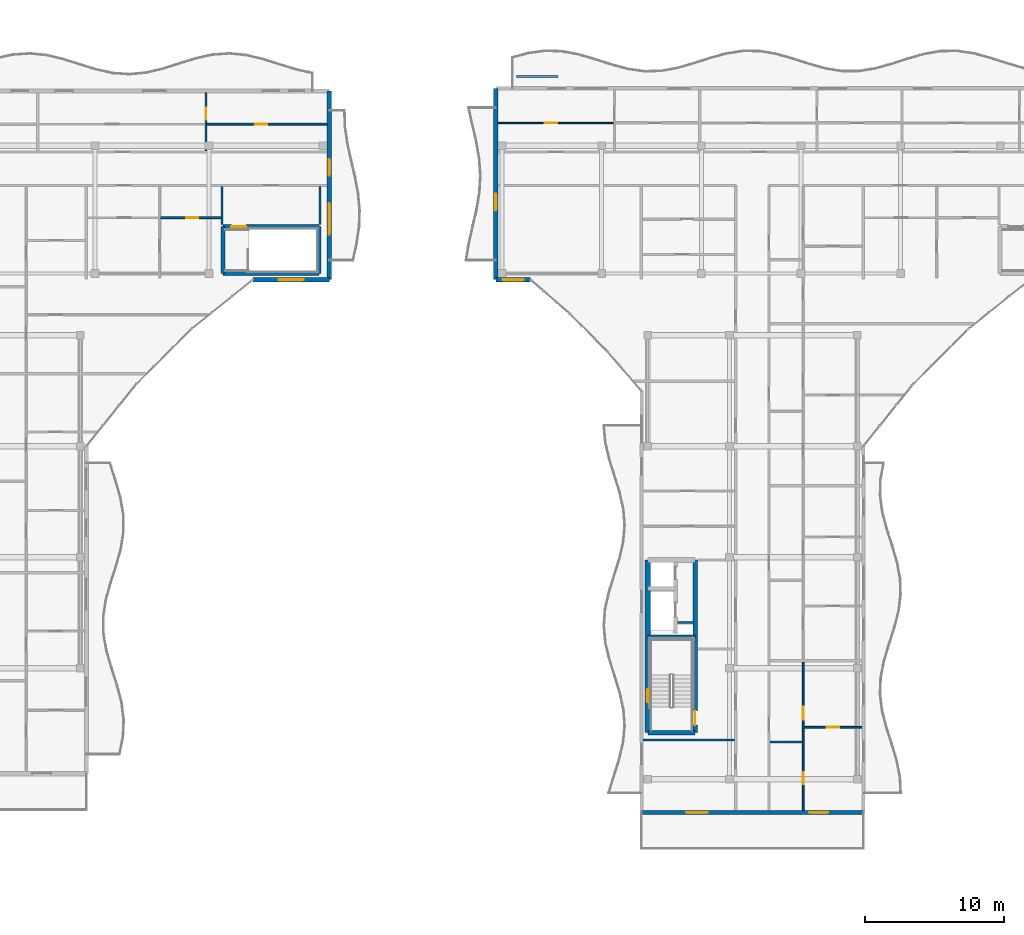
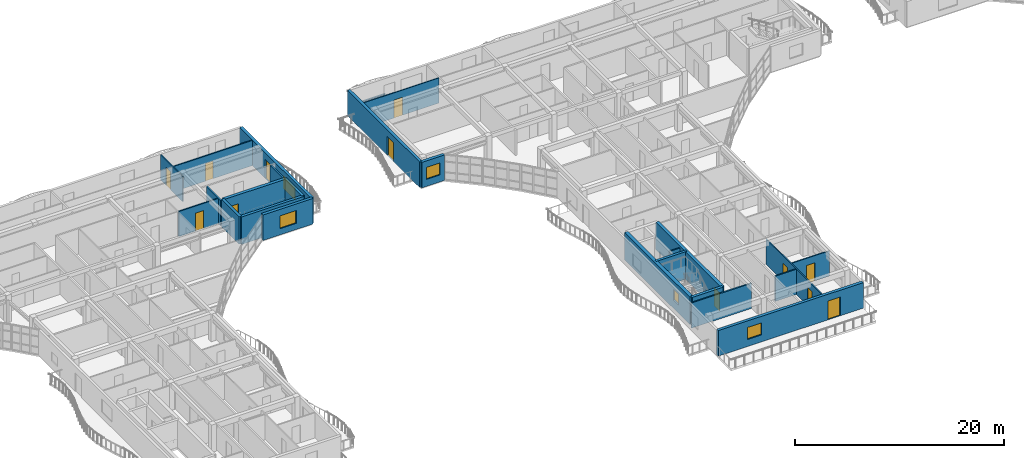
# One storey, part 28 of 49: 25 walls, 12 doors, 5 windows, 17 openings.
"""IFC4 building model written with IfcOpenShell, lengths in metres."""

from ifc_helpers import new_model, si_unit, direction, frame, frame_2d, origin, place, context, subcontext, project, spatial, rectangle, extrude, material, layer, layer_set, type_object, element, fill, save


model = new_model("IFC4")

# Units and contexts
model_context = context("Model", 3, precision=1e-05, world=origin(), true_north=direction((0.0, 1.0)))
body_context = subcontext(model_context, "Body", "Model", "MODEL_VIEW")
ifc_project = project(units=[si_unit("LENGTHUNIT", "METRE"), si_unit("AREAUNIT", "SQUARE_METRE"), si_unit("VOLUMEUNIT", "CUBIC_METRE"), si_unit("PLANEANGLEUNIT", "RADIAN"), si_unit("MASSUNIT", "GRAM", prefix="KILO")], contexts=[model_context])

# Site, building, storey
site_placement = place(None, origin())
site = spatial("IfcSite", under=ifc_project, at=site_placement, CompositionType="ELEMENT")
building_placement = place(site_placement, origin())
building = spatial("IfcBuilding", under=site, at=building_placement, Name="Keldmere Railside Commons", CompositionType="ELEMENT")
storey_placement = place(building_placement, frame((0.0, 0.0, 29.760009765625)))
storey = spatial("IfcBuildingStorey", under=building, at=storey_placement, Name="L09", CompositionType="ELEMENT", Elevation=29.760009765625)

# Wall, opening, door
ifc_material_1 = material(Name="Acoustic Gypsum Board Partition", Category="gypsum")
ifc_layer_1 = layer(ifc_material_1, 0.1201171875, Name="Apartment Interior Partition 120")
ifc_layer_set_1 = layer_set([ifc_layer_1], Name="Acoustic Gypsum Board Partition")
wall_type_1 = type_object("IfcWallType", Name="Apartment Interior Partition 120", PredefinedType="PARTITIONING", material=ifc_layer_set_1)
wall_1_placement = place(storey_placement, frame((72.6201171875, 109.280029296875, 0.0), z_axis=(0.0, 0.0, 1.0), x_axis=(0.0, 1.0, 0.0)))
wall_1 = element("IfcWall", 1, at=wall_1_placement, inside=storey, type_object=wall_type_1, Name="IW-4 IW-L09-0886", PredefinedType="PARTITIONING", context=body_context, shape_type="SweptSolid", body=[
    extrude(rectangle(XDim=4.18994140625, YDim=0.1201171875, at=frame_2d((2.094970703125, 0.0))), origin(), (0.0, 0.0, 1.0), 2.93505859375),
])
opening_1_placement = place(wall_1_placement, frame((2.267578125, 0.0, 0.0)))
opening_1 = element("IfcOpeningElement", 2, at=opening_1_placement, cuts=wall_1, Name="Opening ID-04", PredefinedType="OPENING", context=body_context, shape_type="SweptSolid", body=[
    extrude(rectangle(XDim=0.860107421875, YDim=2.10009765625, at=frame_2d((0.43017578125, 1.050048828125))), frame((0.0, 0.070068359375, 0.0), z_axis=(0.0, -1.0, 0.0), x_axis=(1.0, 0.0, 0.0)), (0.0, 0.0, 1.0), 0.14013671875),
])
ifc_material_2 = material(Name="Engineered Oak Timber", Category="wood")
door_type_1 = type_object("IfcDoorType", Name="Apartment Bathroom Door 860x2100", OperationType="NOTDEFINED", PredefinedType="DOOR", material=ifc_material_2)
door_1_placement = place(opening_1_placement, origin())
door_1 = element("IfcDoor", 3, at=door_1_placement, inside=storey, type_object=door_type_1, Name="ID-04 IDR-L09-0767", OperationType="SINGLE_SWING_LEFT", OverallHeight=2.10009765625, OverallWidth=0.860107421875, PredefinedType="DOOR", context=body_context, shape_type="SweptSolid", body=[
    extrude(rectangle(XDim=0.860107421875, YDim=2.10009765625, at=frame_2d((0.43017578125, 1.050048828125))), frame((0.0, 0.02490234375, 0.0), z_axis=(0.0, -1.0, 0.0), x_axis=(1.0, 0.0, 0.0)), (0.0, 0.0, 1.0), 0.050048828125),
])
fill(opening_1, door_1)

# Wall, openings, doors
wall_2_placement = place(storey_placement, frame((115.659912109375, 61.760009765625, 0.0), z_axis=(0.0, 0.0, 1.0), x_axis=(0.0, 1.0, 0.0)))
wall_2 = element("IfcWall", 4, at=wall_2_placement, inside=storey, type_object=wall_type_1, Name="IW-4 IW-L09-1284", PredefinedType="PARTITIONING", context=body_context, shape_type="SweptSolid", body=[
    extrude(rectangle(XDim=10.699951171875, YDim=0.1201171875, at=frame_2d((5.35009765625, 0.0))), origin(), (0.0, 0.0, 1.0), 2.93505859375),
])
opening_2_placement = place(wall_2_placement, frame((1.86962890625, 0.0, 0.0)))
opening_2 = element("IfcOpeningElement", 5, at=opening_2_placement, cuts=wall_2, Name="Opening ID-04", PredefinedType="OPENING", context=body_context, shape_type="SweptSolid", body=[
    extrude(rectangle(XDim=0.860107421875, YDim=2.10009765625, at=frame_2d((0.43017578125, 1.050048828125))), frame((0.0, 0.070068359375, 0.0), z_axis=(0.0, -1.0, 0.0), x_axis=(1.0, 0.0, 0.0)), (0.0, 0.0, 1.0), 0.14013671875),
])
opening_3_placement = place(wall_2_placement, frame((6.538330078125, 0.0, 0.0)))
opening_3 = element("IfcOpeningElement", 6, at=opening_3_placement, cuts=wall_2, Name="Opening ID-03", PredefinedType="OPENING", context=body_context, shape_type="SweptSolid", body=[
    extrude(rectangle(XDim=0.919921875, YDim=2.10009765625, at=frame_2d((0.4599609375, 1.050048828125))), frame((0.0, 0.070068359375, 0.0), z_axis=(0.0, -1.0, 0.0), x_axis=(1.0, 0.0, 0.0)), (0.0, 0.0, 1.0), 0.14013671875),
])
door_2_placement = place(opening_2_placement, origin())
door_2 = element("IfcDoor", 7, at=door_2_placement, inside=storey, type_object=door_type_1, Name="ID-04 IDR-L09-1139", OperationType="SINGLE_SWING_LEFT", OverallHeight=2.10009765625, OverallWidth=0.860107421875, PredefinedType="DOOR", context=body_context, shape_type="SweptSolid", body=[
    extrude(rectangle(XDim=0.860107421875, YDim=2.10009765625, at=frame_2d((0.43017578125, 1.050048828125))), frame((0.0, 0.02490234375, 0.0), z_axis=(0.0, -1.0, 0.0), x_axis=(1.0, 0.0, 0.0)), (0.0, 0.0, 1.0), 0.050048828125),
])
fill(opening_2, door_2)
door_type_2 = type_object("IfcDoorType", Name="Kitchen Pocket-Frame Swing Door 920x2100", OperationType="NOTDEFINED", PredefinedType="DOOR", material=ifc_material_2)
door_3_placement = place(opening_3_placement, origin())
door_3 = element("IfcDoor", 8, at=door_3_placement, inside=storey, type_object=door_type_2, Name="ID-03 IDR-L09-1140", OperationType="SINGLE_SWING_RIGHT", OverallHeight=2.10009765625, OverallWidth=0.919921875, PredefinedType="DOOR", context=body_context, shape_type="SweptSolid", body=[
    extrude(rectangle(XDim=0.919921875, YDim=2.10009765625, at=frame_2d((0.4599609375, 1.050048828125))), frame((0.0, 0.02490234375, 0.0), z_axis=(0.0, -1.0, 0.0), x_axis=(1.0, 0.0, 0.0)), (0.0, 0.0, 1.0), 0.050048828125),
])
fill(opening_3, door_3)

# Wall, opening, door
wall_3_placement = place(storey_placement, frame((115.719970703125, 67.75, 0.0), z_axis=(0.0, 0.0, 1.0), x_axis=(1.0, 0.0, 0.0)))
wall_3 = element("IfcWall", 9, at=wall_3_placement, inside=storey, type_object=wall_type_1, Name="IW-4 IW-L09-1286", PredefinedType="PARTITIONING", context=body_context, shape_type="SweptSolid", body=[
    extrude(rectangle(XDim=4.159912109375, YDim=0.1201171875, at=frame_2d((2.080078125, 0.0))), origin(), (0.0, 0.0, 1.0), 2.93505859375),
])
opening_4_placement = place(wall_3_placement, frame((1.6298828125, 0.0, 0.0)))
opening_4 = element("IfcOpeningElement", 10, at=opening_4_placement, cuts=wall_3, Name="Opening ID-01", PredefinedType="OPENING", context=body_context, shape_type="SweptSolid", body=[
    extrude(rectangle(XDim=0.89990234375, YDim=2.10009765625, at=frame_2d((0.449951171875, 1.050048828125))), frame((0.0, 0.070068359375, 0.0), z_axis=(0.0, -1.0, 0.0), x_axis=(1.0, 0.0, 0.0)), (0.0, 0.0, 1.0), 0.14013671875),
])
door_type_3 = type_object("IfcDoorType", Name="Primary Bedroom Door 900x2100", OperationType="NOTDEFINED", PredefinedType="DOOR", material=ifc_material_2)
door_4_placement = place(opening_4_placement, origin())
door_4 = element("IfcDoor", 11, at=door_4_placement, inside=storey, type_object=door_type_3, Name="ID-01 IDR-L09-1142", OperationType="SINGLE_SWING_RIGHT", OverallHeight=2.10009765625, OverallWidth=0.89990234375, PredefinedType="DOOR", context=body_context, shape_type="SweptSolid", body=[
    extrude(rectangle(XDim=0.89990234375, YDim=2.10009765625, at=frame_2d((0.449951171875, 1.050048828125))), frame((0.0, 0.02490234375, 0.0), z_axis=(0.0, -1.0, 0.0), x_axis=(1.0, 0.0, 0.0)), (0.0, 0.0, 1.0), 0.050048828125),
])
fill(opening_4, door_4)

# Wall
ifc_material_3 = material(Name="White Precast Concrete H-35 (C35/45)", Category="concrete")
ifc_layer_2 = layer(ifc_material_3, 0.169921875, Name="Balcony Planter Kerb Wall 170")
ifc_layer_set_2 = layer_set([ifc_layer_2], Name="White Precast Concrete H-35 (C35/45)")
wall_type_2 = type_object("IfcWallType", Name="Balcony Planter Kerb Wall 170", PredefinedType="PARAPET", material=ifc_layer_set_2)
wall_4_placement = place(storey_placement, frame((95.0, 114.64990234375, 0.0), z_axis=(0.0, 0.0, 1.0), x_axis=(1.0, 0.0, 0.0)))
element("IfcWall", 12, at=wall_4_placement, inside=storey, type_object=wall_type_2, Name="PW-2 PKBB-L09-0663", PredefinedType="PARAPET", context=body_context, shape_type="SweptSolid", body=[
    extrude(rectangle(XDim=3.0, YDim=0.169921875, at=frame_2d((1.5, 0.0))), origin(), (0.0, 0.0, 1.0), 0.449951171875),
])

# Wall, opening, door
ifc_layer_3 = layer(ifc_material_1, 0.10009765625, Name="Closet Light Partition 100")
ifc_layer_set_3 = layer_set([ifc_layer_3], Name="Acoustic Gypsum Board Partition")
wall_type_3 = type_object("IfcWallType", Name="Closet Light Partition 100", PredefinedType="PARTITIONING", material=ifc_layer_set_3)
wall_5_placement = place(storey_placement, frame((93.659912109375, 111.300048828125, 0.0), z_axis=(0.0, 0.0, 1.0), x_axis=(1.0, 0.0, 0.0)))
wall_5 = element("IfcWall", 13, at=wall_5_placement, inside=storey, type_object=wall_type_3, Name="IW-6 IW-L09-1301", PredefinedType="PARTITIONING", context=body_context, shape_type="SweptSolid", body=[
    extrude(rectangle(XDim=8.330078125, YDim=0.10009765625, at=frame_2d((4.1650390625, 0.0))), origin(), (0.0, 0.0, 1.0), 2.93505859375),
])
opening_5_placement = place(wall_5_placement, frame((3.35595703125, 0.0, 0.0)))
opening_5 = element("IfcOpeningElement", 14, at=opening_5_placement, cuts=wall_5, Name="Opening ID-03", PredefinedType="OPENING", context=body_context, shape_type="SweptSolid", body=[
    extrude(rectangle(XDim=0.919921875, YDim=2.10009765625, at=frame_2d((0.4599609375, 1.050048828125))), frame((0.0, 0.06005859375, 0.0), z_axis=(0.0, -1.0, 0.0), x_axis=(1.0, 0.0, 0.0)), (0.0, 0.0, 1.0), 0.1201171875),
])
door_5_placement = place(opening_5_placement, origin())
door_5 = element("IfcDoor", 15, at=door_5_placement, inside=storey, type_object=door_type_2, Name="ID-03 IDR-L09-1157", OperationType="SINGLE_SWING_LEFT", OverallHeight=2.10009765625, OverallWidth=0.919921875, PredefinedType="DOOR", context=body_context, shape_type="SweptSolid", body=[
    extrude(rectangle(XDim=0.919921875, YDim=2.10009765625, at=frame_2d((0.4599609375, 1.050048828125))), frame((0.0, 0.02490234375, 0.0), z_axis=(0.0, -1.0, 0.0), x_axis=(1.0, 0.0, 0.0)), (0.0, 0.0, 1.0), 0.050048828125),
])
fill(opening_5, door_5)

# Wall
ifc_material_4 = material(Name="Concrete H-35 (C35/45)", Category="concrete")
ifc_layer_4 = layer(ifc_material_4, 0.280029296875, Name="Core Shear Wall 280")
ifc_layer_set_4 = layer_set([ifc_layer_4], Name="Concrete H-35 (C35/45)")
wall_type_4 = type_object("IfcWallType", Name="Core Shear Wall 280", PredefinedType="SHEAR", material=ifc_layer_set_4)
wall_6_placement = place(storey_placement, frame((104.4599609375, 74.239990234375, 0.0), z_axis=(0.0, 0.0, 1.0), x_axis=(1.0, 0.0, 0.0)))
element("IfcWall", 16, at=wall_6_placement, inside=storey, type_object=wall_type_4, Name="CSW-2 COREBM-L09-0544", PredefinedType="SHEAR", context=body_context, shape_type="SweptSolid", body=[
    extrude(rectangle(XDim=3.41015625, YDim=0.280029296875, at=frame_2d((1.705078125, 0.0))), origin(), (0.0, 0.0, 1.0), 3.199951171875),
])

# Wall, opening, window
ifc_material_5 = material(Name="Concrete H-40 (C40/50)", Category="concrete")
ifc_layer_5 = layer(ifc_material_5, 0.3798828125, Name="Core Shear Wall 380")
ifc_layer_set_5 = layer_set([ifc_layer_5], Name="Concrete H-40 (C40/50)")
wall_type_5 = type_object("IfcWallType", Name="Core Shear Wall 380", PredefinedType="SHEAR", material=ifc_layer_set_5)
wall_7_placement = place(storey_placement, frame((104.4599609375, 67.35009765625, 0.0), z_axis=(0.0, 0.0, 1.0), x_axis=(0.0, 1.0, 0.0)))
wall_7 = element("IfcWall", 17, at=wall_7_placement, inside=storey, type_object=wall_type_5, Name="CW-CORE COREBW-L09-0540", PredefinedType="SHEAR", context=body_context, shape_type="SweptSolid", body=[
    extrude(rectangle(XDim=12.449951171875, YDim=0.3798828125, at=frame_2d((6.22509765625, 0.0))), origin(), (0.0, 0.0, 1.0), 3.199951171875),
])
opening_6_placement = place(wall_7_placement, frame((2.199951171875, 0.0, 0.969970703125)))
opening_6 = element("IfcOpeningElement", 18, at=opening_6_placement, cuts=wall_7, Name="Opening WN-17", PredefinedType="OPENING", context=body_context, shape_type="SweptSolid", body=[
    extrude(rectangle(XDim=0.949951171875, YDim=1.25, at=frame_2d((0.47509765625, 0.625))), frame((0.0, 0.199951171875, 0.0), z_axis=(0.0, -1.0, 0.0), x_axis=(1.0, 0.0, 0.0)), (0.0, 0.0, 1.0), 0.39990234375),
])
ifc_material_6 = material(Name="Low-E Insulated Double Glazing", Category="glass")
window_type_1 = type_object("IfcWindowType", Name="Stair Core Natural Smoke-Vent Window 950x1250", PartitioningType="SINGLE_PANEL", PredefinedType="WINDOW", material=ifc_material_6)
window_1_placement = place(opening_6_placement, origin())
window_1 = element("IfcWindow", 19, at=window_1_placement, inside=storey, type_object=window_type_1, Name="WN-17 WIN-L09-0346", OverallHeight=1.25, OverallWidth=0.949951171875, PartitioningType="SINGLE_PANEL", PredefinedType="WINDOW", context=body_context, shape_type="SweptSolid", body=[
    extrude(rectangle(XDim=0.949951171875, YDim=1.25, at=frame_2d((0.47509765625, 0.625))), frame((0.0, 0.030029296875, 0.0), z_axis=(0.0, -1.0, 0.0), x_axis=(1.0, 0.0, 0.0)), (0.0, 0.0, 1.0), 0.06005859375),
])
fill(opening_6, window_1)

ifc_layer_6 = layer(ifc_material_4, 0.320068359375, Name="Exterior Shear Wall 320")
ifc_layer_set_6 = layer_set([ifc_layer_6], Name="Concrete H-35 (C35/45)")
wall_type_6 = type_object("IfcWallType", Name="Exterior Shear Wall 320", PredefinedType="SHEAR", material=ifc_layer_set_6)
wall_8_placement = place(storey_placement, frame((81.5, 100.0, 0.0), z_axis=(0.0, 0.0, 1.0), x_axis=(-1.0, 0.0, 0.0)))
wall_8 = element("IfcWall", 20, at=wall_8_placement, inside=storey, type_object=wall_type_6, Name="ESW-2 EXTC-L09-0399", PredefinedType="SHEAR", context=body_context, shape_type="SweptSolid", body=[
    extrude(rectangle(XDim=5.5, YDim=0.320068359375, at=frame_2d((2.75, 0.0))), origin(), (0.0, 0.0, 1.0), 2.97998046875),
])
opening_7_placement = place(wall_8_placement, frame((1.85009765625, 0.0, 0.719970703125)))
opening_7 = element("IfcOpeningElement", 21, at=opening_7_placement, cuts=wall_8, Name="Opening WN-01", PredefinedType="OPENING", context=body_context, shape_type="SweptSolid", body=[
    extrude(rectangle(XDim=1.800048828125, YDim=1.5, at=frame_2d((0.89990234375, 0.75))), frame((0.0, 0.169921875, 0.0), z_axis=(0.0, -1.0, 0.0), x_axis=(1.0, 0.0, 0.0)), (0.0, 0.0, 1.0), 0.340087890625),
])
window_type_2 = type_object("IfcWindowType", Name="Living Room North Casement Window 1800x1500", PartitioningType="SINGLE_PANEL", PredefinedType="WINDOW", material=ifc_material_6)
window_2_placement = place(opening_7_placement, origin())
window_2 = element("IfcWindow", 22, at=window_2_placement, inside=storey, type_object=window_type_2, Name="WN-01 WIN-L09-0325", OverallHeight=1.5, OverallWidth=1.800048828125, PartitioningType="SINGLE_PANEL", PredefinedType="WINDOW", context=body_context, shape_type="SweptSolid", body=[
    extrude(rectangle(XDim=1.800048828125, YDim=1.5, at=frame_2d((0.89990234375, 0.75))), frame((0.0, 0.030029296875, 0.0), z_axis=(0.0, -1.0, 0.0), x_axis=(1.0, 0.0, 0.0)), (0.0, 0.0, 1.0), 0.06005859375),
])
fill(opening_7, window_2)

# Wall, openings, door, window
wall_9_placement = place(storey_placement, frame((81.5, 113.60009765625, 0.0), z_axis=(0.0, 0.0, 1.0), x_axis=(0.0, -1.0, 0.0)))
wall_9 = element("IfcWall", 23, at=wall_9_placement, inside=storey, type_object=wall_type_6, Name="ESW-2 EXTC-L09-0400", PredefinedType="SHEAR", context=body_context, shape_type="SweptSolid", body=[
    extrude(rectangle(XDim=13.60009765625, YDim=0.320068359375, at=frame_2d((6.800048828125, 0.0))), origin(), (0.0, 0.0, 1.0), 2.97998046875),
])
opening_8_placement = place(wall_9_placement, frame((4.89990234375, 0.0, 0.0)))
opening_8 = element("IfcOpeningElement", 24, at=opening_8_placement, cuts=wall_9, Name="Opening BD-01", PredefinedType="OPENING", context=body_context, shape_type="SweptSolid", body=[
    extrude(rectangle(XDim=1.199951171875, YDim=2.199951171875, at=frame_2d((0.60009765625, 1.10009765625))), frame((0.0, 0.169921875, 0.0), z_axis=(0.0, -1.0, 0.0), x_axis=(1.0, 0.0, 0.0)), (0.0, 0.0, 1.0), 0.340087890625),
])
opening_9_placement = place(wall_9_placement, frame((8.10009765625, 0.0, 0.719970703125)))
opening_9 = element("IfcOpeningElement", 25, at=opening_9_placement, cuts=wall_9, Name="Opening WN-12", PredefinedType="OPENING", context=body_context, shape_type="SweptSolid", body=[
    extrude(rectangle(XDim=2.25, YDim=1.5, at=frame_2d((1.125, 0.75))), frame((0.0, 0.169921875, 0.0), z_axis=(0.0, -1.0, 0.0), x_axis=(1.0, 0.0, 0.0)), (0.0, 0.0, 1.0), 0.340087890625),
])
ifc_material_7 = material(Name="Thermally Broken Aluminium", Category="aluminium")
door_type_4 = type_object("IfcDoorType", Name="Apartment Living Wave-Balcony Glazed Door 1200x2200", OperationType="NOTDEFINED", PredefinedType="DOOR", material=ifc_material_7)
door_6_placement = place(opening_8_placement, origin())
door_6 = element("IfcDoor", 26, at=door_6_placement, inside=storey, type_object=door_type_4, Name="BD-01 DR-L09-0117", OperationType="SINGLE_SWING_LEFT", OverallHeight=2.199951171875, OverallWidth=1.199951171875, PredefinedType="DOOR", context=body_context, shape_type="SweptSolid", body=[
    extrude(rectangle(XDim=1.199951171875, YDim=2.199951171875, at=frame_2d((0.60009765625, 1.10009765625))), frame((0.0, 0.02490234375, 0.0), z_axis=(0.0, -1.0, 0.0), x_axis=(1.0, 0.0, 0.0)), (0.0, 0.0, 1.0), 0.050048828125),
])
fill(opening_8, door_6)
window_type_3 = type_object("IfcWindowType", Name="Studio Court Ribbon Window 2250x1500", PartitioningType="SINGLE_PANEL", PredefinedType="WINDOW", material=ifc_material_6)
window_3_placement = place(opening_9_placement, origin())
window_3 = element("IfcWindow", 27, at=window_3_placement, inside=storey, type_object=window_type_3, Name="WN-12 WIN-L09-0326", OverallHeight=1.5, OverallWidth=2.25, PartitioningType="SINGLE_PANEL", PredefinedType="WINDOW", context=body_context, shape_type="SweptSolid", body=[
    extrude(rectangle(XDim=2.25, YDim=1.5, at=frame_2d((1.125, 0.75))), frame((0.0, 0.030029296875, 0.0), z_axis=(0.0, -1.0, 0.0), x_axis=(1.0, 0.0, 0.0)), (0.0, 0.0, 1.0), 0.06005859375),
])
fill(opening_9, window_3)

wall_10_placement = place(storey_placement, frame((120.0, 61.60009765625, 0.0), z_axis=(0.0, 0.0, 1.0), x_axis=(-1.0, 0.0, 0.0)))
wall_10 = element("IfcWall", 28, at=wall_10_placement, inside=storey, type_object=wall_type_6, Name="ESW-2 EXTB-L09-0655", PredefinedType="SHEAR", context=body_context, shape_type="SweptSolid", body=[
    extrude(rectangle(XDim=16.0, YDim=0.320068359375, at=frame_2d((8.0, 0.0))), origin(), (0.0, 0.0, 1.0), 2.97998046875),
])
opening_10_placement = place(wall_10_placement, frame((2.550048828125, 0.0, 0.0)))
opening_10 = element("IfcOpeningElement", 29, at=opening_10_placement, cuts=wall_10, Name="Opening BD-03", PredefinedType="OPENING", context=body_context, shape_type="SweptSolid", body=[
    extrude(rectangle(XDim=1.35009765625, YDim=2.199951171875, at=frame_2d((0.675048828125, 1.10009765625))), frame((0.0, 0.169921875, 0.0), z_axis=(0.0, -1.0, 0.0), x_axis=(1.0, 0.0, 0.0)), (0.0, 0.0, 1.0), 0.340087890625),
])
opening_11_placement = place(wall_10_placement, frame((11.22509765625, 0.0, 0.820068359375)))
opening_11 = element("IfcOpeningElement", 30, at=opening_11_placement, cuts=wall_10, Name="Opening WN-07", PredefinedType="OPENING", context=body_context, shape_type="SweptSolid", body=[
    extrude(rectangle(XDim=1.550048828125, YDim=1.39990234375, at=frame_2d((0.77490234375, 0.699951171875))), frame((0.0, 0.169921875, 0.0), z_axis=(0.0, -1.0, 0.0), x_axis=(1.0, 0.0, 0.0)), (0.0, 0.0, 1.0), 0.340087890625),
])
door_type_5 = type_object("IfcDoorType", Name="Planted Roof-Terrace Lounge Door 1350x2200", OperationType="NOTDEFINED", PredefinedType="DOOR", material=ifc_material_7)
door_7_placement = place(opening_10_placement, origin())
door_7 = element("IfcDoor", 31, at=door_7_placement, inside=storey, type_object=door_type_5, Name="BD-03 DR-L09-0190", OperationType="SINGLE_SWING_RIGHT", OverallHeight=2.199951171875, OverallWidth=1.35009765625, PredefinedType="DOOR", context=body_context, shape_type="SweptSolid", body=[
    extrude(rectangle(XDim=1.35009765625, YDim=2.199951171875, at=frame_2d((0.675048828125, 1.10009765625))), frame((0.0, 0.02490234375, 0.0), z_axis=(0.0, -1.0, 0.0), x_axis=(1.0, 0.0, 0.0)), (0.0, 0.0, 1.0), 0.050048828125),
])
fill(opening_10, door_7)
window_type_4 = type_object("IfcWindowType", Name="Primary Bedroom South Window 1550x1400", PartitioningType="SINGLE_PANEL", PredefinedType="WINDOW", material=ifc_material_6)
window_4_placement = place(opening_11_placement, origin())
window_4 = element("IfcWindow", 32, at=window_4_placement, inside=storey, type_object=window_type_4, Name="WN-07 WIN-L09-0509", OverallHeight=1.39990234375, OverallWidth=1.550048828125, PartitioningType="SINGLE_PANEL", PredefinedType="WINDOW", context=body_context, shape_type="SweptSolid", body=[
    extrude(rectangle(XDim=1.550048828125, YDim=1.39990234375, at=frame_2d((0.77490234375, 0.699951171875))), frame((0.0, 0.030029296875, 0.0), z_axis=(0.0, -1.0, 0.0), x_axis=(1.0, 0.0, 0.0)), (0.0, 0.0, 1.0), 0.06005859375),
])
fill(opening_11, window_4)

# Wall, opening, door
wall_11_placement = place(storey_placement, frame((93.5, 100.0, 0.0), z_axis=(0.0, 0.0, 1.0), x_axis=(0.0, 1.0, 0.0)))
wall_11 = element("IfcWall", 33, at=wall_11_placement, inside=storey, type_object=wall_type_6, Name="ESW-2 EXTB-L09-0660", PredefinedType="SHEAR", context=body_context, shape_type="SweptSolid", body=[
    extrude(rectangle(XDim=13.800048828125, YDim=0.320068359375, at=frame_2d((6.89990234375, 0.0))), origin(), (0.0, 0.0, 1.0), 2.97998046875),
])
opening_12_placement = place(wall_11_placement, frame((5.0, 0.0, 0.0)))
opening_12 = element("IfcOpeningElement", 34, at=opening_12_placement, cuts=wall_11, Name="Opening BD-01", PredefinedType="OPENING", context=body_context, shape_type="SweptSolid", body=[
    extrude(rectangle(XDim=1.199951171875, YDim=2.199951171875, at=frame_2d((0.60009765625, 1.10009765625))), frame((0.0, 0.169921875, 0.0), z_axis=(0.0, -1.0, 0.0), x_axis=(1.0, 0.0, 0.0)), (0.0, 0.0, 1.0), 0.340087890625),
])
door_8_placement = place(opening_12_placement, origin())
door_8 = element("IfcDoor", 35, at=door_8_placement, inside=storey, type_object=door_type_4, Name="BD-01 DR-L09-0196", OperationType="SINGLE_SWING_RIGHT", OverallHeight=2.199951171875, OverallWidth=1.199951171875, PredefinedType="DOOR", context=body_context, shape_type="SweptSolid", body=[
    extrude(rectangle(XDim=1.199951171875, YDim=2.199951171875, at=frame_2d((0.60009765625, 1.10009765625))), frame((0.0, 0.02490234375, 0.0), z_axis=(0.0, -1.0, 0.0), x_axis=(1.0, 0.0, 0.0)), (0.0, 0.0, 1.0), 0.050048828125),
])
fill(opening_12, door_8)

# Wall, opening, window
wall_12_placement = place(storey_placement, frame((96.0, 100.0, 0.0), z_axis=(0.0, 0.0, 1.0), x_axis=(-1.0, 0.0, 0.0)))
wall_12 = element("IfcWall", 36, at=wall_12_placement, inside=storey, type_object=wall_type_6, Name="ESW-2 EXTB-L09-0661", PredefinedType="SHEAR", context=body_context, shape_type="SweptSolid", body=[
    extrude(rectangle(XDim=2.5, YDim=0.320068359375, at=frame_2d((1.25, 0.0))), origin(), (0.0, 0.0, 1.0), 2.97998046875),
])
opening_13_placement = place(wall_12_placement, frame((0.5, 0.0, 0.820068359375)))
opening_13 = element("IfcOpeningElement", 37, at=opening_13_placement, cuts=wall_12, Name="Opening WN-06", PredefinedType="OPENING", context=body_context, shape_type="SweptSolid", body=[
    extrude(rectangle(XDim=1.5, YDim=1.39990234375, at=frame_2d((0.75, 0.699951171875))), frame((0.0, 0.169921875, 0.0), z_axis=(0.0, -1.0, 0.0), x_axis=(1.0, 0.0, 0.0)), (0.0, 0.0, 1.0), 0.340087890625),
])
window_type_5 = type_object("IfcWindowType", Name="Primary Bedroom North Window 1500x1400", PartitioningType="SINGLE_PANEL", PredefinedType="WINDOW", material=ifc_material_6)
window_5_placement = place(opening_13_placement, origin())
window_5 = element("IfcWindow", 38, at=window_5_placement, inside=storey, type_object=window_type_5, Name="WN-06 WIN-L09-0521", OverallHeight=1.39990234375, OverallWidth=1.5, PartitioningType="SINGLE_PANEL", PredefinedType="WINDOW", context=body_context, shape_type="SweptSolid", body=[
    extrude(rectangle(XDim=1.5, YDim=1.39990234375, at=frame_2d((0.75, 0.699951171875))), frame((0.0, 0.030029296875, 0.0), z_axis=(0.0, -1.0, 0.0), x_axis=(1.0, 0.0, 0.0)), (0.0, 0.0, 1.0), 0.06005859375),
])
fill(opening_13, window_5)

# Walls
ifc_layer_7 = layer(ifc_material_4, 0.300048828125, Name="Interior Shear Wall 300")
ifc_layer_set_7 = layer_set([ifc_layer_7], Name="Concrete H-35 (C35/45)")
wall_type_7 = type_object("IfcWallType", Name="Interior Shear Wall 300", PredefinedType="SHEAR", material=ifc_layer_set_7)
wall_13_placement = place(storey_placement, frame((73.85009765625, 100.449951171875, 0.0), z_axis=(0.0, 0.0, 1.0), x_axis=(1.0, 0.0, 0.0)))
element("IfcWall", 39, at=wall_13_placement, inside=storey, type_object=wall_type_7, Name="ISW-2 COREC2S-L09-0314", PredefinedType="SHEAR", context=body_context, shape_type="SweptSolid", body=[
    extrude(rectangle(XDim=6.89990234375, YDim=0.300048828125, at=frame_2d((3.449951171875, 0.0))), origin(), (0.0, 0.0, 1.0), 3.199951171875),
])
for number, where, z_axis, x_axis, name in (
    (40, (73.85009765625, 103.820068359375, 0.0), (0.0, 0.0, 1.0), (0.0, -1.0, 0.0), "ISW-2 COREC2W-L09-0316"),
    (41, (80.75, 100.449951171875, 0.0), (0.0, 0.0, 1.0), (0.0, 1.0, 0.0), "ISW-2 COREC2E-L09-0317"),
):
    element("IfcWall", number, at=place(storey_placement, frame(where, z_axis=z_axis, x_axis=x_axis)), inside=storey, type_object=wall_type_7, Name=name, PredefinedType="SHEAR", context=body_context, shape_type="SweptSolid", body=[
        extrude(rectangle(XDim=3.3701171875, YDim=0.300048828125, at=frame_2d((1.68505859375, 0.0))), origin(), (0.0, 0.0, 1.0), 3.199951171875),
    ])
wall_14_placement = place(storey_placement, frame((107.8701171875, 67.35009765625, 0.0), z_axis=(0.0, 0.0, 1.0), x_axis=(-1.0, 0.0, 0.0)))
element("IfcWall", 42, at=wall_14_placement, inside=storey, type_object=wall_type_7, Name="ISW-2 COREBS-L09-0543", PredefinedType="SHEAR", context=body_context, shape_type="SweptSolid", body=[
    extrude(rectangle(XDim=3.41015625, YDim=0.300048828125, at=frame_2d((1.705078125, 0.0))), origin(), (0.0, 0.0, 1.0), 3.199951171875),
])

# Wall, opening, door
ifc_layer_8 = layer(ifc_material_4, 0.340087890625, Name="Interior Shear Wall 340")
ifc_layer_set_8 = layer_set([ifc_layer_8], Name="Concrete H-35 (C35/45)")
wall_type_8 = type_object("IfcWallType", Name="Interior Shear Wall 340", PredefinedType="SHEAR", material=ifc_layer_set_8)
wall_15_placement = place(storey_placement, frame((80.75, 103.820068359375, 0.0), z_axis=(0.0, 0.0, 1.0), x_axis=(-1.0, 0.0, 0.0)))
wall_15 = element("IfcWall", 43, at=wall_15_placement, inside=storey, type_object=wall_type_8, Name="ISW-1 COREC2N-L09-0315", PredefinedType="SHEAR", context=body_context, shape_type="SweptSolid", body=[
    extrude(rectangle(XDim=6.89990234375, YDim=0.340087890625, at=frame_2d((3.449951171875, 0.0))), origin(), (0.0, 0.0, 1.0), 3.199951171875),
])
opening_14_placement = place(wall_15_placement, frame((5.25, 0.0, 0.0)))
opening_14 = element("IfcOpeningElement", 44, at=opening_14_placement, cuts=wall_15, Name="Opening FD-1", PredefinedType="OPENING", context=body_context, shape_type="SweptSolid", body=[
    extrude(rectangle(XDim=1.050048828125, YDim=2.14990234375, at=frame_2d((0.52490234375, 1.074951171875))), frame((0.0, 0.179931640625, 0.0), z_axis=(0.0, -1.0, 0.0), x_axis=(1.0, 0.0, 0.0)), (0.0, 0.0, 1.0), 0.360107421875),
])
ifc_material_8 = material(Name="Steel F-24 (S235)", Category="steel")
door_type_6 = type_object("IfcDoorType", Name="Stair Core Fire Door 1050x2150", OperationType="NOTDEFINED", PredefinedType="DOOR", material=ifc_material_8)
door_9_placement = place(opening_14_placement, origin())
door_9 = element("IfcDoor", 45, at=door_9_placement, inside=storey, type_object=door_type_6, Name="FD-1 C2 L09", OperationType="SINGLE_SWING_RIGHT", OverallHeight=2.14990234375, OverallWidth=1.050048828125, PredefinedType="DOOR", context=body_context, shape_type="SweptSolid", body=[
    extrude(rectangle(XDim=1.050048828125, YDim=2.14990234375, at=frame_2d((0.52490234375, 1.074951171875))), frame((0.0, 0.02490234375, 0.0), z_axis=(0.0, -1.0, 0.0), x_axis=(1.0, 0.0, 0.0)), (0.0, 0.0, 1.0), 0.050048828125),
])
fill(opening_14, door_9)

wall_16_placement = place(storey_placement, frame((107.8701171875, 79.800048828125, 0.0), z_axis=(0.0, 0.0, 1.0), x_axis=(0.0, -1.0, 0.0)))
wall_16 = element("IfcWall", 46, at=wall_16_placement, inside=storey, type_object=wall_type_8, Name="ISW-1 COREBE-L09-0542", PredefinedType="SHEAR", context=body_context, shape_type="SweptSolid", body=[
    extrude(rectangle(XDim=12.449951171875, YDim=0.340087890625, at=frame_2d((6.22509765625, 0.0))), origin(), (0.0, 0.0, 1.0), 3.199951171875),
])
opening_15_placement = place(wall_16_placement, frame((10.85009765625, 0.0, 0.0)))
opening_15 = element("IfcOpeningElement", 47, at=opening_15_placement, cuts=wall_16, Name="Opening FD-1", PredefinedType="OPENING", context=body_context, shape_type="SweptSolid", body=[
    extrude(rectangle(XDim=1.050048828125, YDim=2.14990234375, at=frame_2d((0.52490234375, 1.074951171875))), frame((0.0, 0.179931640625, 0.0), z_axis=(0.0, -1.0, 0.0), x_axis=(1.0, 0.0, 0.0)), (0.0, 0.0, 1.0), 0.360107421875),
])
door_10_placement = place(opening_15_placement, origin())
door_10 = element("IfcDoor", 48, at=door_10_placement, inside=storey, type_object=door_type_6, Name="FD-1 B1 L09", OperationType="SINGLE_SWING_LEFT", OverallHeight=2.14990234375, OverallWidth=1.050048828125, PredefinedType="DOOR", context=body_context, shape_type="SweptSolid", body=[
    extrude(rectangle(XDim=1.050048828125, YDim=2.14990234375, at=frame_2d((0.52490234375, 1.074951171875))), frame((0.0, 0.02490234375, 0.0), z_axis=(0.0, -1.0, 0.0), x_axis=(1.0, 0.0, 0.0)), (0.0, 0.0, 1.0), 0.050048828125),
])
fill(opening_15, door_10)

# Walls
ifc_layer_9 = layer(ifc_material_1, 0.14990234375, Name="Lobby Rated Partition 150")
ifc_layer_set_9 = layer_set([ifc_layer_9], Name="Acoustic Gypsum Board Partition")
wall_type_9 = type_object("IfcWallType", Name="Lobby Rated Partition 150", PredefinedType="PARTITIONING", material=ifc_layer_set_9)
wall_17_placement = place(storey_placement, frame((106.60009765625, 75.280029296875, 0.0), z_axis=(0.0, 0.0, 1.0), x_axis=(1.0, 0.0, 0.0)))
element("IfcWall", 49, at=wall_17_placement, inside=storey, type_object=wall_type_9, Name="IW-3 RSRNB-L09-0547", PredefinedType="PARTITIONING", context=body_context, shape_type="SweptSolid", body=[
    extrude(rectangle(XDim=1.1298828125, YDim=0.14990234375, at=frame_2d((0.56494140625, 0.0))), origin(), (0.0, 0.0, 1.0), 2.949951171875),
])
for number, where, z_axis, x_axis, name in (
    (50, (73.780029296875, 103.989990234375, 0.0), (0.0, 0.0, 1.0), (0.0, 1.0, 0.0), "IW-3 IW-L09-0866"),
    (51, (80.820068359375, 103.989990234375, 0.0), (0.0, 0.0, 1.0), (0.0, 1.0, 0.0), "IW-3 IW-L09-0867"),
):
    element("IfcWall", number, at=place(storey_placement, frame(where, z_axis=z_axis, x_axis=x_axis)), inside=storey, type_object=wall_type_9, Name=name, PredefinedType="PARTITIONING", context=body_context, shape_type="SweptSolid", body=[
        extrude(rectangle(XDim=2.72998046875, YDim=0.14990234375, at=frame_2d((1.364990234375, 0.0))), origin(), (0.0, 0.0, 1.0), 2.93505859375),
    ])
wall_18_placement = place(storey_placement, frame((104.1201171875, 66.820068359375, 0.0), z_axis=(0.0, 0.0, 1.0), x_axis=(1.0, 0.0, 0.0)))
element("IfcWall", 52, at=wall_18_placement, inside=storey, type_object=wall_type_9, Name="IW-3 IW-L09-1269", PredefinedType="PARTITIONING", context=body_context, shape_type="SweptSolid", body=[
    extrude(rectangle(XDim=6.599853515625, YDim=0.14990234375, at=frame_2d((3.2998046875, 0.0))), origin(), (0.0, 0.0, 1.0), 2.93505859375),
])

# Wall, opening, door
ifc_layer_10 = layer(ifc_material_1, 0.139892578125, Name="Wet-Room Sanitary Partition 140")
ifc_layer_set_10 = layer_set([ifc_layer_10], Name="Acoustic Gypsum Board Partition")
wall_type_10 = type_object("IfcWallType", Name="Wet-Room Sanitary Partition 140", PredefinedType="PARTITIONING", material=ifc_layer_set_10)
wall_19_placement = place(storey_placement, frame((72.679931640625, 111.2099609375, 0.0), z_axis=(0.0, 0.0, 1.0), x_axis=(1.0, 0.0, 0.0)))
wall_19 = element("IfcWall", 53, at=wall_19_placement, inside=storey, type_object=wall_type_10, Name="IW-5 IW-L09-0887", PredefinedType="PARTITIONING", context=body_context, shape_type="SweptSolid", body=[
    extrude(rectangle(XDim=8.66015625, YDim=0.139892578125, at=frame_2d((4.330078125, 0.0))), origin(), (0.0, 0.0, 1.0), 2.93505859375),
])
opening_16_placement = place(wall_19_placement, frame((3.488037109375, 0.0, 0.0)))
opening_16 = element("IfcOpeningElement", 54, at=opening_16_placement, cuts=wall_19, Name="Opening ID-06", PredefinedType="OPENING", context=body_context, shape_type="SweptSolid", body=[
    extrude(rectangle(XDim=0.85009765625, YDim=2.050048828125, at=frame_2d((0.425048828125, 1.02490234375))), frame((0.0, 0.079833984375, 0.0), z_axis=(0.0, -1.0, 0.0), x_axis=(1.0, 0.0, 0.0)), (0.0, 0.0, 1.0), 0.159912109375),
])
door_type_7 = type_object("IfcDoorType", Name="Storage Closet Door 850x2050", OperationType="NOTDEFINED", PredefinedType="DOOR", material=ifc_material_2)
door_11_placement = place(opening_16_placement, origin())
door_11 = element("IfcDoor", 55, at=door_11_placement, inside=storey, type_object=door_type_7, Name="ID-06 IDR-L09-0768", OperationType="SINGLE_SWING_RIGHT", OverallHeight=2.050048828125, OverallWidth=0.85009765625, PredefinedType="DOOR", context=body_context, shape_type="SweptSolid", body=[
    extrude(rectangle(XDim=0.85009765625, YDim=2.050048828125, at=frame_2d((0.425048828125, 1.02490234375))), frame((0.0, 0.02490234375, 0.0), z_axis=(0.0, -1.0, 0.0), x_axis=(1.0, 0.0, 0.0)), (0.0, 0.0, 1.0), 0.050048828125),
])
fill(opening_16, door_11)

wall_20_placement = place(storey_placement, frame((69.340087890625, 104.469970703125, 0.0), z_axis=(0.0, 0.0, 1.0), x_axis=(1.0, 0.0, 0.0)))
wall_20 = element("IfcWall", 56, at=wall_20_placement, inside=storey, type_object=wall_type_10, Name="IW-5 IW-L09-0890", PredefinedType="PARTITIONING", context=body_context, shape_type="SweptSolid", body=[
    extrude(rectangle(XDim=4.35986328125, YDim=0.139892578125, at=frame_2d((2.179931640625, 0.0))), origin(), (0.0, 0.0, 1.0), 2.93505859375),
])
opening_17_placement = place(wall_20_placement, frame((1.8564453125, 0.0, 0.0)))
opening_17 = element("IfcOpeningElement", 57, at=opening_17_placement, cuts=wall_20, Name="Opening ID-04", PredefinedType="OPENING", context=body_context, shape_type="SweptSolid", body=[
    extrude(rectangle(XDim=0.860107421875, YDim=2.10009765625, at=frame_2d((0.43017578125, 1.050048828125))), frame((0.0, 0.079833984375, 0.0), z_axis=(0.0, -1.0, 0.0), x_axis=(1.0, 0.0, 0.0)), (0.0, 0.0, 1.0), 0.159912109375),
])
door_12_placement = place(opening_17_placement, origin())
door_12 = element("IfcDoor", 58, at=door_12_placement, inside=storey, type_object=door_type_1, Name="ID-04 IDR-L09-0772", OperationType="SINGLE_SWING_RIGHT", OverallHeight=2.10009765625, OverallWidth=0.860107421875, PredefinedType="DOOR", context=body_context, shape_type="SweptSolid", body=[
    extrude(rectangle(XDim=0.860107421875, YDim=2.10009765625, at=frame_2d((0.43017578125, 1.050048828125))), frame((0.0, 0.02490234375, 0.0), z_axis=(0.0, -1.0, 0.0), x_axis=(1.0, 0.0, 0.0)), (0.0, 0.0, 1.0), 0.050048828125),
])
fill(opening_17, door_12)

# Wall
wall_21_placement = place(storey_placement, frame((113.280029296875, 66.679931640625, 0.0), z_axis=(0.0, 0.0, 1.0), x_axis=(1.0, 0.0, 0.0)))
element("IfcWall", 59, at=wall_21_placement, inside=storey, type_object=wall_type_10, Name="IW-5 IW-L09-1285", PredefinedType="PARTITIONING", context=body_context, shape_type="SweptSolid", body=[
    extrude(rectangle(XDim=2.320068359375, YDim=0.139892578125, at=frame_2d((1.16015625, 0.0))), origin(), (0.0, 0.0, 1.0), 2.93505859375),
])

save(model, "model.ifc")
